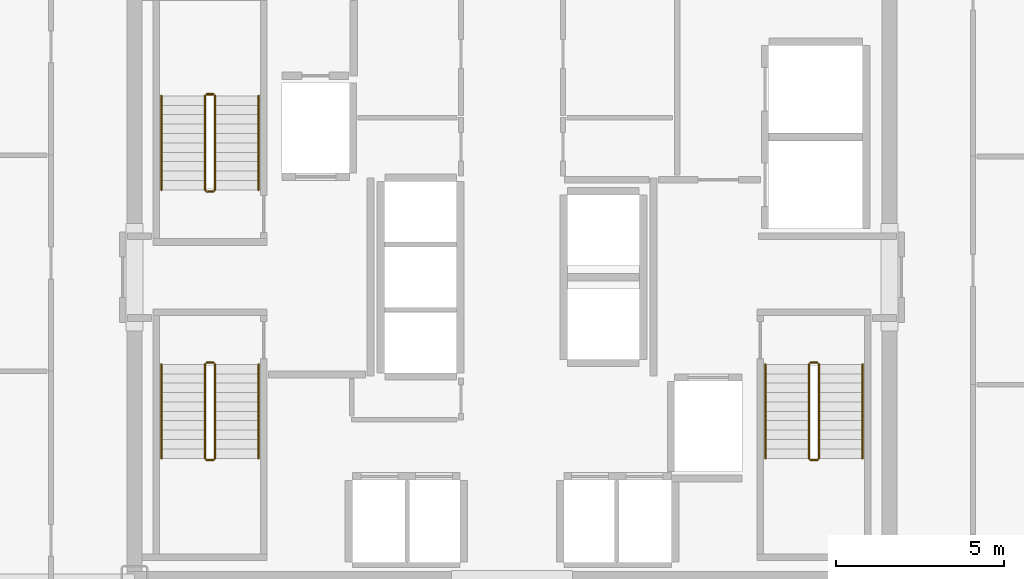
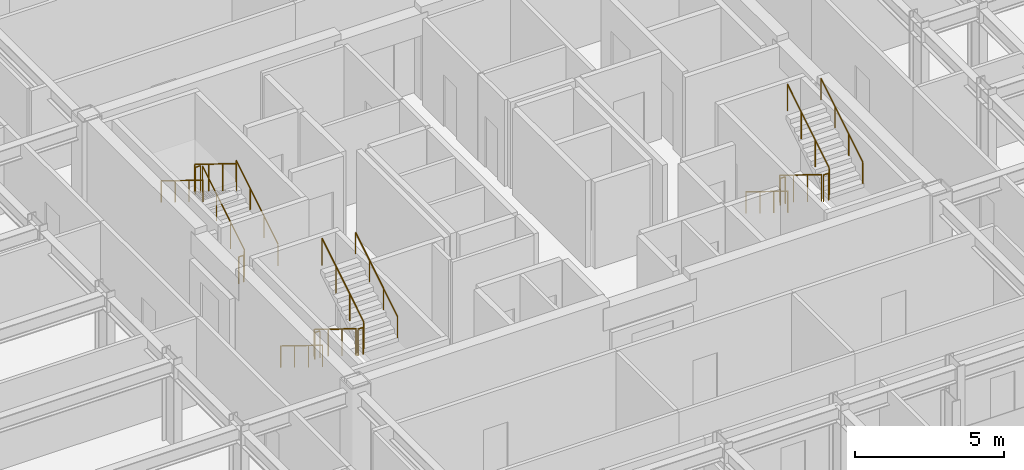
# One storey, part 19 of 20: 18 railings.
"""IFC4 building model written with IfcOpenShell, lengths in metres."""

from ifc_helpers import new_model, si_unit, direction, frame, origin, origin_2d, place, context, subcontext, project, spatial, circle, extrude, material, type_object, element, save


model = new_model("IFC4")

# Units and contexts
model_context = context("Model", 3, precision=1e-05, world=origin(), true_north=direction((0.0, 1.0)))
body_context = subcontext(model_context, "Body", "Model", "MODEL_VIEW")
ifc_project = project(units=[si_unit("LENGTHUNIT", "METRE"), si_unit("AREAUNIT", "SQUARE_METRE"), si_unit("VOLUMEUNIT", "CUBIC_METRE"), si_unit("PLANEANGLEUNIT", "RADIAN"), si_unit("MASSUNIT", "GRAM", prefix="KILO")], contexts=[model_context])

# Site, building, storey
site_placement = place(None, origin())
site = spatial("IfcSite", under=ifc_project, at=site_placement, CompositionType="ELEMENT")
building_placement = place(site_placement, origin())
building = spatial("IfcBuilding", under=site, at=building_placement, Name="Nefas-Gora Pilgrimage Tower", CompositionType="ELEMENT")
storey_placement = place(building_placement, frame((0.0, 0.0, 221.800048828125)))
storey = spatial("IfcBuildingStorey", under=building, at=storey_placement, Name="L55", CompositionType="ELEMENT", Elevation=221.800048828125)

# Railings
ifc_material_1 = material(Name="Painted galvanised steel", Category="steel")
railing_type_1 = type_object("IfcRailingType", Name="RLG-STR-GUARD-1100", PredefinedType="GUARDRAIL", material=ifc_material_1)
railing_1_placement = place(storey_placement, frame((-8.85009765625, 2.60009765625, 0.172607421875)))
element("IfcRailing", 1, at=railing_1_placement, inside=storey, type_object=railing_type_1, Name="L55 ST-01 stair guard 1", PredefinedType="GUARDRAIL", context=body_context, shape_type="SweptSolid", body=[
    extrude(circle(Radius=0.02392578125, at=origin_2d()), frame((0.0, 0.0, 1.09619140625), z_axis=(0.0, 0.851069175582, 0.525053576669), x_axis=(-1.0, 0.0, 0.0)), (0.0, 0.0, 1.0), 3.289794921875),
    extrude(circle(Radius=0.02099609375, at=origin_2d()), origin(), (0.0, 0.0, 1.0), 1.072021484375),
    extrude(circle(Radius=0.02099609375, at=origin_2d()), frame((0.0, 0.933349609375, 0.57568359375)), (0.0, 0.0, 1.0), 1.072021484375),
    extrude(circle(Radius=0.02099609375, at=origin_2d()), frame((0.0, 1.866455078125, 1.151611328125)), (0.0, 0.0, 1.0), 1.072021484375),
    extrude(circle(Radius=0.02099609375, at=origin_2d()), frame((0.0, 2.7998046875, 1.727294921875)), (0.0, 0.0, 1.0), 1.072021484375),
])
railing_2_placement = place(storey_placement, frame((-8.89990234375, 5.449951171875, 1.89990234375)))
element("IfcRailing", 2, at=railing_2_placement, inside=storey, type_object=railing_type_1, Name="L55 ST-01 stair guard 2", PredefinedType="GUARDRAIL", context=body_context, shape_type="SweptSolid", body=[
    extrude(circle(Radius=0.02392578125, at=origin_2d()), frame((0.0, 0.0, 1.09619140625), z_axis=(-1.0, 0.0, 0.0), x_axis=(0.0, -1.0, 0.0)), (0.0, 0.0, 1.0), 0.2001953125),
    extrude(circle(Radius=0.02099609375, at=origin_2d()), origin(), (0.0, 0.0, 1.0), 1.072021484375),
    extrude(circle(Radius=0.02099609375, at=origin_2d()), frame((-0.2001953125, 0.0, 0.0)), (0.0, 0.0, 1.0), 1.072021484375),
])
railing_3_placement = place(storey_placement, frame((-9.14990234375, 5.39990234375, 2.07275390625)))
element("IfcRailing", 3, at=railing_3_placement, inside=storey, type_object=railing_type_1, Name="L55 ST-01 stair guard 3", PredefinedType="GUARDRAIL", context=body_context, shape_type="SweptSolid", body=[
    extrude(circle(Radius=0.02392578125, at=origin_2d()), frame((0.0, 0.0, 1.09619140625), z_axis=(0.0, -0.851069175582, 0.525053576669), x_axis=(1.0, 0.0, 0.0)), (0.0, 0.0, 1.0), 3.289794921875),
    extrude(circle(Radius=0.02099609375, at=origin_2d()), origin(), (0.0, 0.0, 1.0), 1.072021484375),
    extrude(circle(Radius=0.02099609375, at=origin_2d()), frame((0.0, -0.933349609375, 0.57568359375)), (0.0, 0.0, 1.0), 1.072021484375),
    extrude(circle(Radius=0.02099609375, at=origin_2d()), frame((0.0, -1.866455078125, 1.151611328125)), (0.0, 0.0, 1.0), 1.072021484375),
    extrude(circle(Radius=0.02099609375, at=origin_2d()), frame((0.0, -2.7998046875, 1.727294921875)), (0.0, 0.0, 1.0), 1.072021484375),
])
railing_4_placement = place(storey_placement, frame((-8.89990234375, 2.550048828125, 0.0)))
element("IfcRailing", 4, at=railing_4_placement, inside=storey, type_object=railing_type_1, Name="L55 ST-01 stair guard 4", PredefinedType="GUARDRAIL", context=body_context, shape_type="SweptSolid", body=[
    extrude(circle(Radius=0.02392578125, at=origin_2d()), frame((0.0, 0.0, 1.09619140625), z_axis=(-1.0, 0.0, 0.0), x_axis=(0.0, -1.0, 0.0)), (0.0, 0.0, 1.0), 0.2001953125),
    extrude(circle(Radius=0.02099609375, at=origin_2d()), origin(), (0.0, 0.0, 1.0), 1.072021484375),
    extrude(circle(Radius=0.02099609375, at=origin_2d()), frame((-0.2001953125, 0.0, 0.0)), (0.0, 0.0, 1.0), 1.072021484375),
])
railing_5_placement = place(storey_placement, frame((8.85009765625, -2.60009765625, 0.172607421875)))
element("IfcRailing", 5, at=railing_5_placement, inside=storey, type_object=railing_type_1, Name="L55 ST-02 stair guard 1", PredefinedType="GUARDRAIL", context=body_context, shape_type="SweptSolid", body=[
    extrude(circle(Radius=0.02392578125, at=origin_2d()), frame((0.0, 0.0, 1.09619140625), z_axis=(0.0, -0.851069175582, 0.525053576669), x_axis=(1.0, 0.0, 0.0)), (0.0, 0.0, 1.0), 3.289794921875),
    extrude(circle(Radius=0.02099609375, at=origin_2d()), origin(), (0.0, 0.0, 1.0), 1.072021484375),
    extrude(circle(Radius=0.02099609375, at=origin_2d()), frame((0.0, -0.933349609375, 0.57568359375)), (0.0, 0.0, 1.0), 1.072021484375),
    extrude(circle(Radius=0.02099609375, at=origin_2d()), frame((0.0, -1.866455078125, 1.151611328125)), (0.0, 0.0, 1.0), 1.072021484375),
    extrude(circle(Radius=0.02099609375, at=origin_2d()), frame((0.0, -2.7998046875, 1.727294921875)), (0.0, 0.0, 1.0), 1.072021484375),
])
railing_6_placement = place(storey_placement, frame((8.89990234375, -5.449951171875, 1.89990234375)))
element("IfcRailing", 6, at=railing_6_placement, inside=storey, type_object=railing_type_1, Name="L55 ST-02 stair guard 2", PredefinedType="GUARDRAIL", context=body_context, shape_type="SweptSolid", body=[
    extrude(circle(Radius=0.02392578125, at=origin_2d()), frame((0.0, 0.0, 1.09619140625), z_axis=(1.0, 0.0, 0.0), x_axis=(0.0, 1.0, 0.0)), (0.0, 0.0, 1.0), 0.2001953125),
    extrude(circle(Radius=0.02099609375, at=origin_2d()), origin(), (0.0, 0.0, 1.0), 1.072021484375),
    extrude(circle(Radius=0.02099609375, at=origin_2d()), frame((0.2001953125, 0.0, 0.0)), (0.0, 0.0, 1.0), 1.072021484375),
])
railing_7_placement = place(storey_placement, frame((9.14990234375, -5.39990234375, 2.07275390625)))
element("IfcRailing", 7, at=railing_7_placement, inside=storey, type_object=railing_type_1, Name="L55 ST-02 stair guard 3", PredefinedType="GUARDRAIL", context=body_context, shape_type="SweptSolid", body=[
    extrude(circle(Radius=0.02392578125, at=origin_2d()), frame((0.0, 0.0, 1.09619140625), z_axis=(0.0, 0.851069175582, 0.525053576669), x_axis=(-1.0, 0.0, 0.0)), (0.0, 0.0, 1.0), 3.289794921875),
    extrude(circle(Radius=0.02099609375, at=origin_2d()), origin(), (0.0, 0.0, 1.0), 1.072021484375),
    extrude(circle(Radius=0.02099609375, at=origin_2d()), frame((0.0, 0.933349609375, 0.57568359375)), (0.0, 0.0, 1.0), 1.072021484375),
    extrude(circle(Radius=0.02099609375, at=origin_2d()), frame((0.0, 1.866455078125, 1.151611328125)), (0.0, 0.0, 1.0), 1.072021484375),
    extrude(circle(Radius=0.02099609375, at=origin_2d()), frame((0.0, 2.7998046875, 1.727294921875)), (0.0, 0.0, 1.0), 1.072021484375),
])
railing_8_placement = place(storey_placement, frame((8.89990234375, -2.550048828125, 0.0)))
element("IfcRailing", 8, at=railing_8_placement, inside=storey, type_object=railing_type_1, Name="L55 ST-02 stair guard 4", PredefinedType="GUARDRAIL", context=body_context, shape_type="SweptSolid", body=[
    extrude(circle(Radius=0.02392578125, at=origin_2d()), frame((0.0, 0.0, 1.09619140625), z_axis=(1.0, 0.0, 0.0), x_axis=(0.0, 1.0, 0.0)), (0.0, 0.0, 1.0), 0.2001953125),
    extrude(circle(Radius=0.02099609375, at=origin_2d()), origin(), (0.0, 0.0, 1.0), 1.072021484375),
    extrude(circle(Radius=0.02099609375, at=origin_2d()), frame((0.2001953125, 0.0, 0.0)), (0.0, 0.0, 1.0), 1.072021484375),
])
railing_9_placement = place(storey_placement, frame((-9.14990234375, -2.60009765625, 0.172607421875)))
element("IfcRailing", 9, at=railing_9_placement, inside=storey, type_object=railing_type_1, Name="L55 ST-03 stair guard 1", PredefinedType="GUARDRAIL", context=body_context, shape_type="SweptSolid", body=[
    extrude(circle(Radius=0.02392578125, at=origin_2d()), frame((0.0, 0.0, 1.09619140625), z_axis=(0.0, -0.851069175582, 0.525053576669), x_axis=(1.0, 0.0, 0.0)), (0.0, 0.0, 1.0), 3.289794921875),
    extrude(circle(Radius=0.02099609375, at=origin_2d()), origin(), (0.0, 0.0, 1.0), 1.072021484375),
    extrude(circle(Radius=0.02099609375, at=origin_2d()), frame((0.0, -0.933349609375, 0.57568359375)), (0.0, 0.0, 1.0), 1.072021484375),
    extrude(circle(Radius=0.02099609375, at=origin_2d()), frame((0.0, -1.866455078125, 1.151611328125)), (0.0, 0.0, 1.0), 1.072021484375),
    extrude(circle(Radius=0.02099609375, at=origin_2d()), frame((0.0, -2.7998046875, 1.727294921875)), (0.0, 0.0, 1.0), 1.072021484375),
])
railing_10_placement = place(storey_placement, frame((-9.10009765625, -5.449951171875, 1.89990234375)))
element("IfcRailing", 10, at=railing_10_placement, inside=storey, type_object=railing_type_1, Name="L55 ST-03 stair guard 2", PredefinedType="GUARDRAIL", context=body_context, shape_type="SweptSolid", body=[
    extrude(circle(Radius=0.02392578125, at=origin_2d()), frame((0.0, 0.0, 1.09619140625), z_axis=(1.0, 0.0, 0.0), x_axis=(0.0, 1.0, 0.0)), (0.0, 0.0, 1.0), 0.2001953125),
    extrude(circle(Radius=0.02099609375, at=origin_2d()), origin(), (0.0, 0.0, 1.0), 1.072021484375),
    extrude(circle(Radius=0.02099609375, at=origin_2d()), frame((0.2001953125, 0.0, 0.0)), (0.0, 0.0, 1.0), 1.072021484375),
])
railing_11_placement = place(storey_placement, frame((-8.85009765625, -5.39990234375, 2.07275390625)))
element("IfcRailing", 11, at=railing_11_placement, inside=storey, type_object=railing_type_1, Name="L55 ST-03 stair guard 3", PredefinedType="GUARDRAIL", context=body_context, shape_type="SweptSolid", body=[
    extrude(circle(Radius=0.02392578125, at=origin_2d()), frame((0.0, 0.0, 1.09619140625), z_axis=(0.0, 0.851069175582, 0.525053576669), x_axis=(-1.0, 0.0, 0.0)), (0.0, 0.0, 1.0), 3.289794921875),
    extrude(circle(Radius=0.02099609375, at=origin_2d()), origin(), (0.0, 0.0, 1.0), 1.072021484375),
    extrude(circle(Radius=0.02099609375, at=origin_2d()), frame((0.0, 0.933349609375, 0.57568359375)), (0.0, 0.0, 1.0), 1.072021484375),
    extrude(circle(Radius=0.02099609375, at=origin_2d()), frame((0.0, 1.866455078125, 1.151611328125)), (0.0, 0.0, 1.0), 1.072021484375),
    extrude(circle(Radius=0.02099609375, at=origin_2d()), frame((0.0, 2.7998046875, 1.727294921875)), (0.0, 0.0, 1.0), 1.072021484375),
])
railing_12_placement = place(storey_placement, frame((-9.10009765625, -2.550048828125, 0.0)))
element("IfcRailing", 12, at=railing_12_placement, inside=storey, type_object=railing_type_1, Name="L55 ST-03 stair guard 4", PredefinedType="GUARDRAIL", context=body_context, shape_type="SweptSolid", body=[
    extrude(circle(Radius=0.02392578125, at=origin_2d()), frame((0.0, 0.0, 1.09619140625), z_axis=(1.0, 0.0, 0.0), x_axis=(0.0, 1.0, 0.0)), (0.0, 0.0, 1.0), 0.2001953125),
    extrude(circle(Radius=0.02099609375, at=origin_2d()), origin(), (0.0, 0.0, 1.0), 1.072021484375),
    extrude(circle(Radius=0.02099609375, at=origin_2d()), frame((0.2001953125, 0.0, 0.0)), (0.0, 0.0, 1.0), 1.072021484375),
])
ifc_material_2 = material(Name="Brushed stainless steel", Category="steel")
railing_type_2 = type_object("IfcRailingType", Name="RLG-STR-HAND-900", PredefinedType="HANDRAIL", material=ifc_material_2)
railing_13_placement = place(storey_placement, frame((-7.550048828125, 2.60009765625, 0.172607421875)))
element("IfcRailing", 13, at=railing_13_placement, inside=storey, type_object=railing_type_2, Name="L55 ST-01 stair handrail 1", PredefinedType="HANDRAIL", context=body_context, shape_type="SweptSolid", body=[
    extrude(circle(Radius=0.02392578125, at=origin_2d()), frame((0.0, 0.0, 0.8759765625), z_axis=(0.0, 0.851069175582, 0.525053576669), x_axis=(-1.0, 0.0, 0.0)), (0.0, 0.0, 1.0), 3.289794921875),
    extrude(circle(Radius=0.02099609375, at=origin_2d()), origin(), (0.0, 0.0, 1.0), 0.851806640625),
    extrude(circle(Radius=0.02099609375, at=origin_2d()), frame((0.0, 0.933349609375, 0.57568359375)), (0.0, 0.0, 1.0), 0.851806640625),
    extrude(circle(Radius=0.02099609375, at=origin_2d()), frame((0.0, 1.866455078125, 1.151611328125)), (0.0, 0.0, 1.0), 0.851806640625),
    extrude(circle(Radius=0.02099609375, at=origin_2d()), frame((0.0, 2.7998046875, 1.727294921875)), (0.0, 0.0, 1.0), 0.851806640625),
])
for number, where, name in (
    (14, (-10.449951171875, 5.39990234375, 2.07275390625), "L55 ST-01 stair handrail 2"),
    (15, (7.550048828125, -2.60009765625, 0.172607421875), "L55 ST-02 stair handrail 1"),
):
    element("IfcRailing", number, at=place(storey_placement, frame(where)), inside=storey, type_object=railing_type_2, Name=name, PredefinedType="HANDRAIL", context=body_context, shape_type="SweptSolid", body=[
        extrude(circle(Radius=0.02392578125, at=origin_2d()), frame((0.0, 0.0, 0.8759765625), z_axis=(0.0, -0.851069175582, 0.525053576669), x_axis=(1.0, 0.0, 0.0)), (0.0, 0.0, 1.0), 3.289794921875),
        extrude(circle(Radius=0.02099609375, at=origin_2d()), origin(), (0.0, 0.0, 1.0), 0.851806640625),
        extrude(circle(Radius=0.02099609375, at=origin_2d()), frame((0.0, -0.933349609375, 0.57568359375)), (0.0, 0.0, 1.0), 0.851806640625),
        extrude(circle(Radius=0.02099609375, at=origin_2d()), frame((0.0, -1.866455078125, 1.151611328125)), (0.0, 0.0, 1.0), 0.851806640625),
        extrude(circle(Radius=0.02099609375, at=origin_2d()), frame((0.0, -2.7998046875, 1.727294921875)), (0.0, 0.0, 1.0), 0.851806640625),
    ])
railing_14_placement = place(storey_placement, frame((10.449951171875, -5.39990234375, 2.07275390625)))
element("IfcRailing", 16, at=railing_14_placement, inside=storey, type_object=railing_type_2, Name="L55 ST-02 stair handrail 2", PredefinedType="HANDRAIL", context=body_context, shape_type="SweptSolid", body=[
    extrude(circle(Radius=0.02392578125, at=origin_2d()), frame((0.0, 0.0, 0.8759765625), z_axis=(0.0, 0.851069175582, 0.525053576669), x_axis=(-1.0, 0.0, 0.0)), (0.0, 0.0, 1.0), 3.289794921875),
    extrude(circle(Radius=0.02099609375, at=origin_2d()), origin(), (0.0, 0.0, 1.0), 0.851806640625),
    extrude(circle(Radius=0.02099609375, at=origin_2d()), frame((0.0, 0.933349609375, 0.57568359375)), (0.0, 0.0, 1.0), 0.851806640625),
    extrude(circle(Radius=0.02099609375, at=origin_2d()), frame((0.0, 1.866455078125, 1.151611328125)), (0.0, 0.0, 1.0), 0.851806640625),
    extrude(circle(Radius=0.02099609375, at=origin_2d()), frame((0.0, 2.7998046875, 1.727294921875)), (0.0, 0.0, 1.0), 0.851806640625),
])
railing_15_placement = place(storey_placement, frame((-10.449951171875, -2.60009765625, 0.172607421875)))
element("IfcRailing", 17, at=railing_15_placement, inside=storey, type_object=railing_type_2, Name="L55 ST-03 stair handrail 1", PredefinedType="HANDRAIL", context=body_context, shape_type="SweptSolid", body=[
    extrude(circle(Radius=0.02392578125, at=origin_2d()), frame((0.0, 0.0, 0.8759765625), z_axis=(0.0, -0.851069175582, 0.525053576669), x_axis=(1.0, 0.0, 0.0)), (0.0, 0.0, 1.0), 3.289794921875),
    extrude(circle(Radius=0.02099609375, at=origin_2d()), origin(), (0.0, 0.0, 1.0), 0.851806640625),
    extrude(circle(Radius=0.02099609375, at=origin_2d()), frame((0.0, -0.933349609375, 0.57568359375)), (0.0, 0.0, 1.0), 0.851806640625),
    extrude(circle(Radius=0.02099609375, at=origin_2d()), frame((0.0, -1.866455078125, 1.151611328125)), (0.0, 0.0, 1.0), 0.851806640625),
    extrude(circle(Radius=0.02099609375, at=origin_2d()), frame((0.0, -2.7998046875, 1.727294921875)), (0.0, 0.0, 1.0), 0.851806640625),
])
railing_16_placement = place(storey_placement, frame((-7.550048828125, -5.39990234375, 2.07275390625)))
element("IfcRailing", 18, at=railing_16_placement, inside=storey, type_object=railing_type_2, Name="L55 ST-03 stair handrail 2", PredefinedType="HANDRAIL", context=body_context, shape_type="SweptSolid", body=[
    extrude(circle(Radius=0.02392578125, at=origin_2d()), frame((0.0, 0.0, 0.8759765625), z_axis=(0.0, 0.851069175582, 0.525053576669), x_axis=(-1.0, 0.0, 0.0)), (0.0, 0.0, 1.0), 3.289794921875),
    extrude(circle(Radius=0.02099609375, at=origin_2d()), origin(), (0.0, 0.0, 1.0), 0.851806640625),
    extrude(circle(Radius=0.02099609375, at=origin_2d()), frame((0.0, 0.933349609375, 0.57568359375)), (0.0, 0.0, 1.0), 0.851806640625),
    extrude(circle(Radius=0.02099609375, at=origin_2d()), frame((0.0, 1.866455078125, 1.151611328125)), (0.0, 0.0, 1.0), 0.851806640625),
    extrude(circle(Radius=0.02099609375, at=origin_2d()), frame((0.0, 2.7998046875, 1.727294921875)), (0.0, 0.0, 1.0), 0.851806640625),
])

save(model, "model.ifc")
